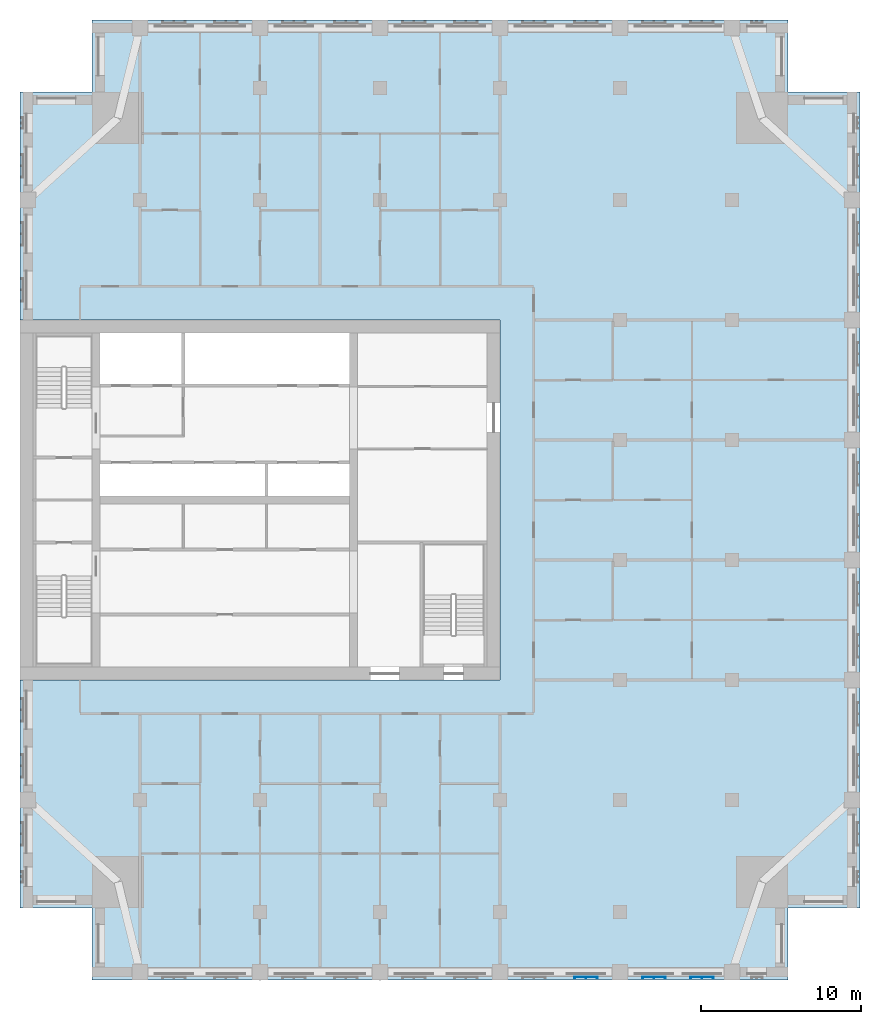
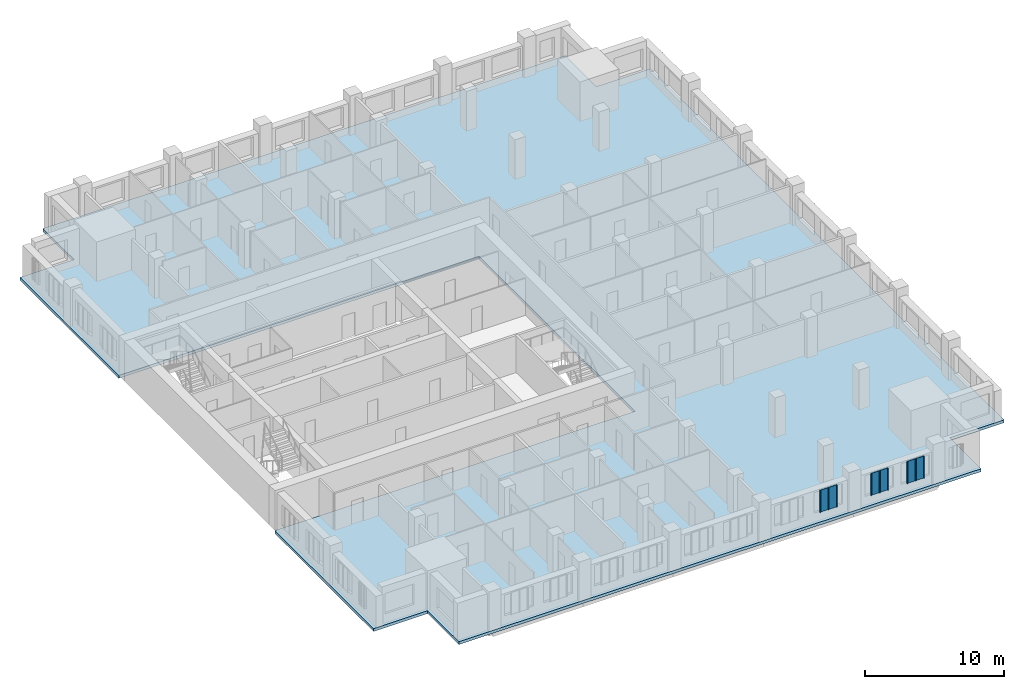
# One storey, part 3 of 14: 3 plates, 1 slab.
"""IFC4 building model written with IfcOpenShell, lengths in metres."""

from ifc_helpers import new_model, si_unit, direction, frame, origin, place, context, subcontext, project, spatial, polyline, outline, extrude, material, layer, layer_set, type_object, element, save


model = new_model("IFC4")

# Units and contexts
model_context = context("Model", 3, precision=1e-05, world=origin(), true_north=direction((0.0, 1.0)))
body_context = subcontext(model_context, "Body", "Model", "MODEL_VIEW")
ifc_project = project(units=[si_unit("LENGTHUNIT", "METRE"), si_unit("AREAUNIT", "SQUARE_METRE"), si_unit("VOLUMEUNIT", "CUBIC_METRE"), si_unit("PLANEANGLEUNIT", "RADIAN"), si_unit("MASSUNIT", "GRAM", prefix="KILO")], contexts=[model_context])

# Site, building, storey
site_placement = place(None, origin())
site = spatial("IfcSite", under=ifc_project, at=site_placement, CompositionType="ELEMENT")
building_placement = place(site_placement, origin())
building = spatial("IfcBuilding", under=site, at=building_placement, Name="Tamorin Gate", CompositionType="ELEMENT")
storey_placement = place(building_placement, frame((0.0, 0.0, 196.699951171875)))
storey = spatial("IfcBuildingStorey", under=building, at=storey_placement, Name="L48", CompositionType="ELEMENT", Elevation=196.699951171875)

# Slab
ifc_material_1 = material(Name="Concrete C40/50", Category="concrete")
ifc_layer_1 = layer(ifc_material_1, 0.25)
ifc_layer_set_1 = layer_set([ifc_layer_1], Name="Floor slab 250 C40/50")
slab_type = type_object("IfcSlabType", Name="Floor slab 250 C40/50", PredefinedType="FLOOR", material=ifc_layer_set_1)
slab_placement = place(storey_placement, frame((0.0, 0.0, -0.25)))
element("IfcSlab", 1, at=slab_placement, inside=storey, type_object=slab_type, Name="Floor L48", PredefinedType="FLOOR", context=body_context, shape_type="SweptSolid", body=[
    extrude(outline(polyline([(30.0, 96.75), (34.5, 96.75), (34.5, 101.25), (78.0, 101.25), (78.0, 96.75), (82.5, 96.75), (82.5, 45.75), (78.0, 45.75), (78.0, 41.25), (34.5, 41.25), (34.5, 45.75), (30.0, 45.75), (30.0, 60.0), (60.0, 60.0), (60.0, 82.5), (30.0, 82.5), (30.0, 96.75)])), origin(), (0.0, 0.0, 1.0), 0.25),
])

# Plates
ifc_material_2 = material(Name="Perforated pale aluminium sheet", Category="aluminium")
ifc_layer_2 = layer(ifc_material_2, 0.0400390625)
ifc_layer_set_2 = layer_set([ifc_layer_2], Name="Pale metal solar screen 1440")
plate_type = type_object("IfcPlateType", Name="Pale metal solar screen 1440", PredefinedType="SHEET", material=ifc_layer_set_2)
plate_1_placement = place(storey_placement, frame((0.0, 0.0, 0.737548828125)))
element("IfcPlate", 2, at=plate_1_placement, inside=storey, type_object=plate_type, Name="Perforated solar screen", PredefinedType="SHEET", context=body_context, shape_type="SweptSolid", body=[
    extrude(outline(polyline([(64.655029296875, 41.409912109375), (64.655029296875, 41.449951171875), (64.715087890625, 41.449951171875), (65.344970703125, 41.449951171875), (65.405029296875, 41.449951171875), (66.034912109375, 41.449951171875), (66.094970703125, 41.449951171875), (66.094970703125, 41.409912109375), (66.094970703125, 41.35009765625), (66.034912109375, 41.35009765625), (66.034912109375, 41.409912109375), (65.405029296875, 41.409912109375), (65.405029296875, 41.35009765625), (65.344970703125, 41.35009765625), (65.344970703125, 41.409912109375), (64.715087890625, 41.409912109375), (64.715087890625, 41.35009765625), (64.655029296875, 41.35009765625), (64.655029296875, 41.409912109375)])), origin(), (0.0, 0.0, 1.0), 1.925048828125),
])
plate_2_placement = place(storey_placement, frame((0.0, 0.0, 0.737548828125)))
element("IfcPlate", 3, at=plate_2_placement, inside=storey, type_object=plate_type, Name="Perforated solar screen", PredefinedType="SHEET", context=body_context, shape_type="SweptSolid", body=[
    extrude(outline(polyline([(68.905029296875, 41.409912109375), (68.905029296875, 41.449951171875), (68.965087890625, 41.449951171875), (69.594970703125, 41.449951171875), (69.655029296875, 41.449951171875), (70.284912109375, 41.449951171875), (70.344970703125, 41.449951171875), (70.344970703125, 41.409912109375), (70.344970703125, 41.35009765625), (70.284912109375, 41.35009765625), (70.284912109375, 41.409912109375), (69.655029296875, 41.409912109375), (69.655029296875, 41.35009765625), (69.594970703125, 41.35009765625), (69.594970703125, 41.409912109375), (68.965087890625, 41.409912109375), (68.965087890625, 41.35009765625), (68.905029296875, 41.35009765625), (68.905029296875, 41.409912109375)])), origin(), (0.0, 0.0, 1.0), 1.925048828125),
])
plate_3_placement = place(storey_placement, frame((0.0, 0.0, 0.737548828125)))
element("IfcPlate", 4, at=plate_3_placement, inside=storey, type_object=plate_type, Name="Perforated solar screen", PredefinedType="SHEET", context=body_context, shape_type="SweptSolid", body=[
    extrude(outline(polyline([(71.905029296875, 41.409912109375), (71.905029296875, 41.449951171875), (71.965087890625, 41.449951171875), (72.594970703125, 41.449951171875), (72.655029296875, 41.449951171875), (73.284912109375, 41.449951171875), (73.344970703125, 41.449951171875), (73.344970703125, 41.409912109375), (73.344970703125, 41.35009765625), (73.284912109375, 41.35009765625), (73.284912109375, 41.409912109375), (72.655029296875, 41.409912109375), (72.655029296875, 41.35009765625), (72.594970703125, 41.35009765625), (72.594970703125, 41.409912109375), (71.965087890625, 41.409912109375), (71.965087890625, 41.35009765625), (71.905029296875, 41.35009765625), (71.905029296875, 41.409912109375)])), origin(), (0.0, 0.0, 1.0), 1.925048828125),
])

save(model, "model.ifc")
